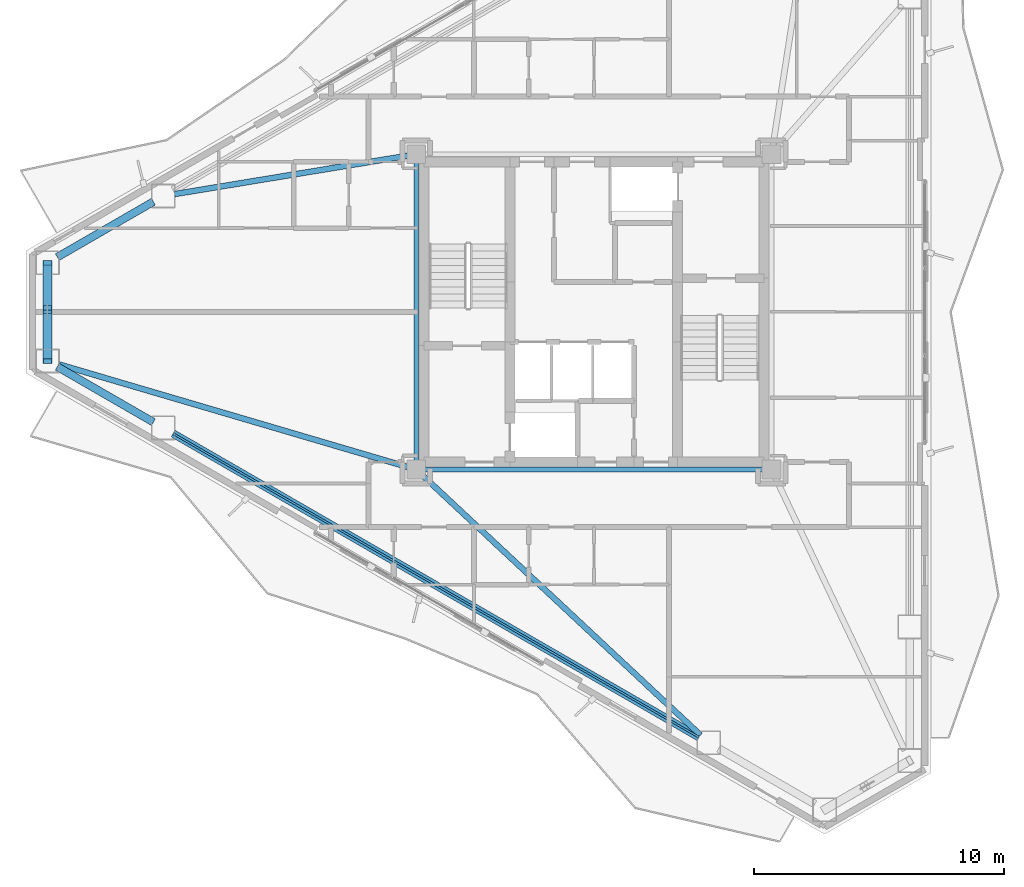
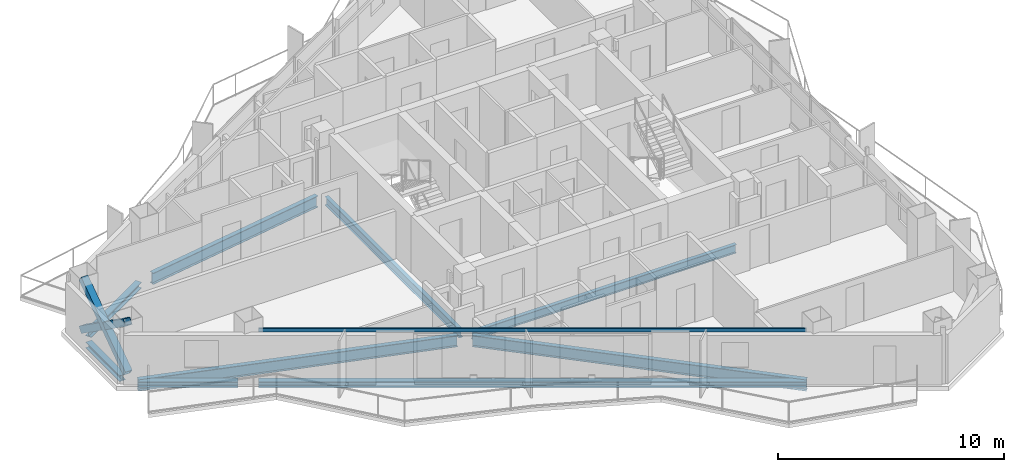
# One storey, part 4 of 18: 10 beams, 3 members.
"""IFC4 building model written with IfcOpenShell, lengths in metres."""

import ifcopenshell
import ifcopenshell.guid

model = None  # the IFC model being written
_history = None  # IfcOwnerHistory: only IFC2X3 demands one
_inside = {}  # id of a spatial element -> (the spatial element, [elements in it])
_under = {}  # id of a project, library or spatial element -> (it, [spatial elements below it])
_declared = {}  # id of a project -> (the project, [libraries it declares])
_typed = {}  # id of a type object -> (the type object, [elements of that type])
_made_of = {}  # id of a material, layer set ... -> (it, [elements and type objects made of it])


def new_model(schema):
    """Start an empty IFC model of exactly this schema.

    Asked for "IFC4X3", IfcOpenShell would pick the latest addendum, in which some entities
    have other attributes; the version numbers below select the first issue.
    IFC2X3 requires an IfcOwnerHistory on every rooted entity: one is made here for all.
    """
    global model, _history
    if schema == "IFC4X3":
        model = ifcopenshell.file(schema_version=(4, 3, 0, 0))
    else:
        model = ifcopenshell.file(schema=schema)
    _inside.clear()
    _under.clear()
    _declared.clear()
    _typed.clear()
    _made_of.clear()
    _history = None
    if model.schema == "IFC2X3":
        org = make("IfcOrganization", Name="unknown")
        user = make(
            "IfcPersonAndOrganization",
            ThePerson=make("IfcPerson", FamilyName="unknown"),
            TheOrganization=org,
        )
        app = make(
            "IfcApplication",
            ApplicationDeveloper=org,
            Version="unknown",
            ApplicationFullName="unknown",
            ApplicationIdentifier="unknown",
        )
        _history = make(
            "IfcOwnerHistory",
            OwningUser=user,
            OwningApplication=app,
            ChangeAction="ADDED",
            CreationDate=0,
        )
    return model


def make(cls, **values):
    """One entity of the class cls with the attributes given. An attribute that is None is left unset."""
    return model.create_entity(
        cls, **{name: value for name, value in values.items() if value is not None}
    )


def rooted(cls, **values):
    """An entity with a GlobalId (a new one), such as an element, a storey or a relation."""
    return make(cls, GlobalId=ifcopenshell.guid.new(), OwnerHistory=_history, **values)


def si_unit(unit_type, name, prefix=None):
    """IfcSIUnit, for example si_unit("LENGTHUNIT", "METRE", prefix="MILLI")."""
    return make("IfcSIUnit", UnitType=unit_type, Prefix=prefix, Name=name)


def assignment(units):
    """IfcUnitAssignment: the units of a project."""
    return None if units is None else make("IfcUnitAssignment", Units=units)


def point(xyz):
    """IfcCartesianPoint."""
    return None if xyz is None else make("IfcCartesianPoint", Coordinates=xyz)


def direction(xyz):
    """IfcDirection."""
    return None if xyz is None else make("IfcDirection", DirectionRatios=xyz)


def frame(location, z_axis=None, x_axis=None):
    """IfcAxis2Placement3D, a coordinate frame: its origin and axes. An axis left out is left unset."""
    return make(
        "IfcAxis2Placement3D",
        Location=point(location),
        Axis=direction(z_axis),
        RefDirection=direction(x_axis),
    )


def frame_2d(location, x_axis=None):
    """IfcAxis2Placement2D, a coordinate frame in the plane: its origin and x axis."""
    return make(
        "IfcAxis2Placement2D", Location=point(location), RefDirection=direction(x_axis)
    )


def origin():
    """The frame at (0, 0, 0) with its axes left unset."""
    return frame((0.0, 0.0, 0.0))


def origin_2d():
    """The frame at (0, 0) in the plane with its x axis left unset."""
    return frame_2d((0.0, 0.0))


def place(relative_to, where):
    """IfcLocalPlacement: puts the frame where relative to a parent placement (None: the world)."""
    return make(
        "IfcLocalPlacement", PlacementRelTo=relative_to, RelativePlacement=where
    )


def context(
    kind, dimensions, precision=None, world=None, true_north=None, identifier=None
):
    """IfcGeometricRepresentationContext, for example the 3D "Model" context."""
    return make(
        "IfcGeometricRepresentationContext",
        ContextIdentifier=identifier,
        ContextType=kind,
        CoordinateSpaceDimension=dimensions,
        Precision=precision,
        WorldCoordinateSystem=world,
        TrueNorth=true_north,
    )


def subcontext(parent, identifier, kind, view, scale=None):
    """IfcGeometricRepresentationSubContext, for example "Body" below "Model"."""
    return make(
        "IfcGeometricRepresentationSubContext",
        ContextIdentifier=identifier,
        ContextType=kind,
        ParentContext=parent,
        TargetScale=scale,
        TargetView=view,
    )


def project(units=None, contexts=None):
    """IfcProject with its units and contexts."""
    return rooted(
        "IfcProject",
        Name="project",
        RepresentationContexts=contexts,
        UnitsInContext=assignment(units),
    )


def spatial(cls, under=None, at=None, **own):
    """A site, building, storey or space (cls), placed at a placement, below another one or the project."""
    s = rooted(cls, ObjectPlacement=at, **own)
    if under is not None:
        _under.setdefault(under.id(), (under, []))[1].append(s)
    return s


def profile(cls, at=None, kind="AREA", **sizes):
    """A parametric profile (cls). Its sizes go by their IFC names, for example OverallWidth=200.0."""
    return make(cls, ProfileType=kind, Position=at, **sizes)


def hollow_rectangle(**sizes):
    """IfcRectangleHollowProfileDef."""
    return profile("IfcRectangleHollowProfileDef", **sizes)


def i_section(**sizes):
    """IfcIShapeProfileDef."""
    return profile("IfcIShapeProfileDef", **sizes)


def extrude(swept, where, along, depth):
    """IfcExtrudedAreaSolid: the profile swept, set in the frame where, extruded along a direction by depth."""
    return make(
        "IfcExtrudedAreaSolid",
        SweptArea=swept,
        Position=where,
        ExtrudedDirection=direction(along),
        Depth=depth,
    )


def shape(context_of_items, identifier, shape_type, items):
    """IfcShapeRepresentation: the items that make up one representation, for example the "Body"."""
    return make(
        "IfcShapeRepresentation",
        ContextOfItems=context_of_items,
        RepresentationIdentifier=identifier,
        RepresentationType=shape_type,
        Items=items,
    )


def material(Name=None, Category=None):
    """IfcMaterial."""
    return make("IfcMaterial", Name=Name, Category=Category)


def material_profile(
    of_material, cross_section, Name=None, Category=None, Priority=None
):
    """IfcMaterialProfile: a cross section and its material."""
    return make(
        "IfcMaterialProfile",
        Name=Name,
        Material=of_material,
        Profile=cross_section,
        Priority=Priority,
        Category=Category,
    )


def profile_set(profiles, Name=None, composite=None):
    """IfcMaterialProfileSet."""
    return make(
        "IfcMaterialProfileSet",
        Name=Name,
        MaterialProfiles=profiles,
        CompositeProfile=composite,
    )


def made_of(thing, what):
    """Note that an element or type object is made of a material, layer set ...; save() writes the relation."""
    if what is not None:
        _made_of.setdefault(what.id(), (what, []))[1].append(thing)
    return thing


def type_object(cls, material=None, **own):
    """A type object (cls), such as IfcWallType, which elements share."""
    return made_of(rooted(cls, **own), material)


def element(
    cls,
    number,
    at=None,
    inside=None,
    cuts=None,
    type_object=None,
    material=None,
    context=None,
    identifier="Body",
    shape_type=None,
    held_by="IfcProductDefinitionShape",
    body=None,
    shapes=None,
    **own,
):
    """One element of the class cls, such as IfcWall. Its Tag is "e" and its number.

    at: its placement. inside: the storey or other place that contains it. cuts: it is an
    opening in that element (IfcRelVoidsElement). A single representation is given by context,
    identifier, shape_type and body (its items); several are given by shapes. held_by: the class
    of the entity that holds the representations. save() writes the other relations.
    """
    e = rooted(cls, Tag="e%d" % number, ObjectPlacement=at, **own)
    if body is not None:
        shapes = [shape(context, identifier, shape_type, body)]
    if shapes is not None:
        e.Representation = make(held_by, Representations=shapes)
    if inside is not None:
        _inside.setdefault(inside.id(), (inside, []))[1].append(e)
    if cuts is not None:
        rooted(
            "IfcRelVoidsElement", RelatingBuildingElement=cuts, RelatedOpeningElement=e
        )
    if type_object is not None:
        _typed.setdefault(type_object.id(), (type_object, []))[1].append(e)
    return made_of(e, material)


def aggregate(whole, parts):
    """IfcRelAggregates: a whole, such as a stair, and the parts it consists of."""
    return rooted("IfcRelAggregates", RelatingObject=whole, RelatedObjects=parts)


def save(model, path):
    """Write the relations noted so far, then the file.

    IfcRelAggregates (storeys below a building ...), IfcRelContainedInSpatialStructure (elements
    in a storey), IfcRelDefinesByType, IfcRelAssociatesMaterial and IfcRelDeclares: one each for
    every whole, place, type object, material and project.
    """
    for whole, parts in _under.values():
        aggregate(whole, parts)
    for where, things in _inside.values():
        rooted(
            "IfcRelContainedInSpatialStructure",
            RelatedElements=things,
            RelatingStructure=where,
        )
    for kind, things in _typed.values():
        rooted("IfcRelDefinesByType", RelatedObjects=things, RelatingType=kind)
    for what, things in _made_of.values():
        rooted("IfcRelAssociatesMaterial", RelatedObjects=things, RelatingMaterial=what)
    for by, libraries in _declared.values():
        rooted("IfcRelDeclares", RelatingContext=by, RelatedDefinitions=libraries)
    model.write(path)


model = new_model("IFC4")

# Units and contexts
model_context = context("Model", 3, precision=1e-05, world=origin(), true_north=direction((0.0, 1.0)))
body_context = subcontext(model_context, "Body", "Model", "MODEL_VIEW")
ifc_project = project(units=[si_unit("LENGTHUNIT", "METRE"), si_unit("AREAUNIT", "SQUARE_METRE"), si_unit("VOLUMEUNIT", "CUBIC_METRE"), si_unit("PLANEANGLEUNIT", "RADIAN"), si_unit("MASSUNIT", "GRAM", prefix="KILO")], contexts=[model_context])

# Site, building, storey
site_placement = place(None, origin())
site = spatial("IfcSite", under=ifc_project, at=site_placement, CompositionType="ELEMENT")
building_placement = place(site_placement, origin())
building = spatial("IfcBuilding", under=site, at=building_placement, Name="Mersakhor Tower and Convention Hall", CompositionType="ELEMENT")
storey_placement = place(building_placement, frame((0.0, 0.0, 150.89990234375)))
storey = spatial("IfcBuildingStorey", under=building, at=storey_placement, Name="L42", CompositionType="ELEMENT", Elevation=150.89990234375)

# Beams
ifc_material_1 = material(Name="Steel S355", Category="steel")
ifc_material_profile_1 = material_profile(ifc_material_1, i_section(OverallWidth=0.19140625, OverallDepth=0.4599609375, WebThickness=0.010009765625, FlangeThickness=0.01611328125, at=origin_2d()), Name="UB 457x191x82")
ifc_profile_set_1 = profile_set([ifc_material_profile_1], Name="Steel S355")
beam_type_1 = type_object("IfcBeamType", Name="BM-FB-457", PredefinedType="BEAM", material=ifc_profile_set_1)
beam_1_placement = place(storey_placement, frame((21.89990234375, 20.804931640625, -0.469970703125), z_axis=(0.0, 1.0, 0.0), x_axis=(-1.0, 0.0, 0.0)))
element("IfcBeam", 1, at=beam_1_placement, inside=storey, type_object=beam_type_1, Name="L42 Core Ring Tie Beam CRB-1", PredefinedType="BEAM", context=body_context, shape_type="SweptSolid", body=[
    extrude(i_section(OverallWidth=0.19140625, OverallDepth=0.4599609375, WebThickness=0.010009765625, FlangeThickness=0.01611328125, at=origin_2d()), origin(), (0.0, 0.0, 1.0), 11.89013671875),
])
beam_2_placement = place(storey_placement, frame((35.7451171875, 20.449951171875, -0.469970703125), z_axis=(-1.0, 0.0, 0.0), x_axis=(0.0, -1.0, 0.0)))
element("IfcBeam", 2, at=beam_2_placement, inside=storey, type_object=beam_type_1, Name="L42 Core Ring Tie Beam CRB-4", PredefinedType="BEAM", context=body_context, shape_type="SweptSolid", body=[
    extrude(i_section(OverallWidth=0.19140625, OverallDepth=0.4599609375, WebThickness=0.010009765625, FlangeThickness=0.01611328125, at=origin_2d()), origin(), (0.0, 0.0, 1.0), 13.490234375),
])
ifc_material_2 = material(Name="Steel S355", Category="steel")
ifc_material_profile_2 = material_profile(ifc_material_2, hollow_rectangle(XDim=0.080078125, YDim=0.179931640625, WallThickness=0.008056640625, at=origin_2d()), Name="RHS 180x80x8")
ifc_profile_set_2 = profile_set([ifc_material_profile_2], Name="Steel S355")
beam_type_2 = type_object("IfcBeamType", Name="BM-GRT-RHS180", PredefinedType="USERDEFINED", material=ifc_profile_set_2)
beam_3_placement = place(storey_placement, frame((33.198486328125, 9.754638671875, 2.47998046875), z_axis=(-0.866027433267, 0.499996484816, 0.0), x_axis=(-0.499996484816, -0.866027433267, 0.0)))
element("IfcBeam", 3, at=beam_3_placement, inside=storey, type_object=beam_type_2, Name="L42 Facade Support Girt GRT-F3", ObjectType="GIRT", PredefinedType="USERDEFINED", context=body_context, shape_type="SweptSolid", body=[
    extrude(hollow_rectangle(XDim=0.080078125, YDim=0.179931640625, WallThickness=0.008056640625, at=origin_2d()), origin(), (0.0, 0.0, 1.0), 24.267333984375),
])
ifc_material_3 = material(Name="Steel S355", Category="steel")
ifc_material_profile_3 = material_profile(ifc_material_3, i_section(OverallWidth=0.22900390625, OverallDepth=0.6123046875, WebThickness=0.011962890625, FlangeThickness=0.01953125, at=origin_2d()), Name="UB 610x229x125")
ifc_profile_set_3 = profile_set([ifc_material_profile_3], Name="Steel S355")
beam_type_3 = type_object("IfcBeamType", Name="BM-PR-610", PredefinedType="BEAM", material=ifc_profile_set_3)
beam_4_placement = place(storey_placement, frame((21.5498046875, 32.9921875, -0.5458984375), z_axis=(-0.986703962282, -0.162527815515, 0.0), x_axis=(0.162527815515, -0.986703962282, 0.0)))
element("IfcBeam", 4, at=beam_4_placement, inside=storey, type_object=beam_type_3, Name="L42 Primary Floor Girder FG-1", PredefinedType="BEAM", context=body_context, shape_type="SweptSolid", body=[
    extrude(i_section(OverallWidth=0.22900390625, OverallDepth=0.6123046875, WebThickness=0.011962890625, FlangeThickness=0.01953125, at=origin_2d()), origin(), (0.0, 0.0, 1.0), 9.43798828125),
])
beam_5_placement = place(storey_placement, frame((22.159423828125, 20.207763671875, -0.5458984375), z_axis=(0.730740936679, -0.682654878736, 0.0), x_axis=(0.682654878736, 0.730740936679, 0.0)))
element("IfcBeam", 5, at=beam_5_placement, inside=storey, type_object=beam_type_3, Name="L42 Primary Floor Girder FG-5", PredefinedType="BEAM", context=body_context, shape_type="SweptSolid", body=[
    extrude(i_section(OverallWidth=0.22900390625, OverallDepth=0.6123046875, WebThickness=0.011962890625, FlangeThickness=0.01953125, at=origin_2d()), origin(), (0.0, 0.0, 1.0), 15.19091796875),
])
beam_6_placement = place(storey_placement, frame((21.559326171875, 20.55029296875, -0.5458984375), z_axis=(-0.959324090351, 0.282307083992, 0.0), x_axis=(-0.282307083992, -0.959324090351, 0.0)))
element("IfcBeam", 6, at=beam_6_placement, inside=storey, type_object=beam_type_3, Name="L42 Primary Floor Girder FG-6", PredefinedType="BEAM", context=body_context, shape_type="SweptSolid", body=[
    extrude(i_section(OverallWidth=0.22900390625, OverallDepth=0.6123046875, WebThickness=0.011962890625, FlangeThickness=0.01953125, at=origin_2d()), origin(), (0.0, 0.0, 1.0), 14.5546875),
])
ifc_material_4 = material(Name="Steel S355", Category="steel")
ifc_material_profile_4 = material_profile(ifc_material_4, i_section(OverallWidth=0.30908203125, OverallDepth=0.320556640625, WebThickness=0.013916015625, FlangeThickness=0.021728515625, at=origin_2d()), Name="UC 305x305x137")
ifc_profile_set_4 = profile_set([ifc_material_profile_4], Name="Steel S355")
beam_type_4 = type_object("IfcBeamType", Name="BM-SPD-UC305", PredefinedType="SPANDREL", material=ifc_profile_set_4)
beam_7_placement = place(storey_placement, frame((7.55419921875, 28.939697265625, -0.400146484375), z_axis=(0.866028798401, 0.499994120305, 0.0), x_axis=(-0.499994120305, 0.866028798401, 0.0)))
element("IfcBeam", 7, at=beam_7_placement, inside=storey, type_object=beam_type_4, Name="L42 Perimeter Spandrel Beam SPB-01", PredefinedType="SPANDREL", context=body_context, shape_type="SweptSolid", body=[
    extrude(i_section(OverallWidth=0.30908203125, OverallDepth=0.320556640625, WebThickness=0.013916015625, FlangeThickness=0.021728515625, at=origin_2d()), origin(), (0.0, 0.0, 1.0), 4.43408203125),
])
beam_8_placement = place(storey_placement, frame((33.198486328125, 9.754638671875, -0.400146484375), z_axis=(-0.866027433267, 0.499996484816, 0.0), x_axis=(-0.499996484816, -0.866027433267, 0.0)))
element("IfcBeam", 8, at=beam_8_placement, inside=storey, type_object=beam_type_4, Name="L42 Perimeter Spandrel Beam SPB-10", PredefinedType="SPANDREL", context=body_context, shape_type="SweptSolid", body=[
    extrude(i_section(OverallWidth=0.30908203125, OverallDepth=0.320556640625, WebThickness=0.013916015625, FlangeThickness=0.021728515625, at=origin_2d()), origin(), (0.0, 0.0, 1.0), 24.267333984375),
])
beam_9_placement = place(storey_placement, frame((11.394287109375, 22.34326171875, -0.400146484375), z_axis=(-0.866028798401, 0.499994120305, 0.0), x_axis=(-0.499994120305, -0.866028798401, 0.0)))
element("IfcBeam", 9, at=beam_9_placement, inside=storey, type_object=beam_type_4, Name="L42 Perimeter Spandrel Beam SPB-11", PredefinedType="SPANDREL", context=body_context, shape_type="SweptSolid", body=[
    extrude(i_section(OverallWidth=0.30908203125, OverallDepth=0.320556640625, WebThickness=0.013916015625, FlangeThickness=0.021728515625, at=origin_2d()), origin(), (0.0, 0.0, 1.0), 4.43408203125),
])
beam_10_placement = place(storey_placement, frame((7.160400390625, 25.24267578125, -0.400146484375), z_axis=(0.0, 1.0, 0.0), x_axis=(-1.0, 0.0, 0.0)))
element("IfcBeam", 10, at=beam_10_placement, inside=storey, type_object=beam_type_4, Name="L42 Perimeter Spandrel Beam SPB-12", PredefinedType="SPANDREL", context=body_context, shape_type="SweptSolid", body=[
    extrude(i_section(OverallWidth=0.30908203125, OverallDepth=0.320556640625, WebThickness=0.013916015625, FlangeThickness=0.021728515625, at=origin_2d()), origin(), (0.0, 0.0, 1.0), 3.0146484375),
])

# Members
ifc_material_5 = material(Name="Steel S460", Category="steel")
ifc_material_profile_5 = material_profile(ifc_material_5, hollow_rectangle(XDim=0.35009765625, YDim=0.35009765625, WallThickness=0.02001953125, at=origin_2d()), Name="SHS 350x350x20")
ifc_profile_set_5 = profile_set([ifc_material_profile_5], Name="Steel S460")
member_type = type_object("IfcMemberType", Name="MB-BRC-SHS350", PredefinedType="BRACE", material=ifc_profile_set_5)
member_placement = place(storey_placement, frame((7.160400390625, 24.78759765625, 0.150146484375), z_axis=(0.0, 0.817991748952, 0.575229952843), x_axis=(-1.0, 0.0, 0.0)))
element("IfcMember", 11, at=member_placement, inside=storey, type_object=member_type, Name="L42 Chamfer Braced Frame Diagonal CB-3A", PredefinedType="BRACE", context=body_context, shape_type="SweptSolid", body=[
    extrude(hollow_rectangle(XDim=0.35009765625, YDim=0.35009765625, WallThickness=0.02001953125, at=origin_2d()), origin(), (0.0, 0.0, 1.0), 4.798095703125),
])
for number, where, z_axis, x_axis, name in (
    (12, (7.160400390625, 28.71240234375, 0.150146484375), (0.0, -0.818012878097, 0.575199905483), (1.0, 0.0, 0.0), "L42 Chamfer Braced Frame Diagonal CB-3B Lower Half"),
    (13, (7.160400390625, 26.59130859375, 1.6416015625), (0.0, -0.817960781121, 0.575273987372), (1.0, 0.0, 0.0), "L42 Chamfer Braced Frame Diagonal CB-3B Upper Half"),
):
    element("IfcMember", number, at=place(storey_placement, frame(where, z_axis=z_axis, x_axis=x_axis)), inside=storey, type_object=member_type, Name=name, PredefinedType="BRACE", context=body_context, shape_type="SweptSolid", body=[
        extrude(hollow_rectangle(XDim=0.35009765625, YDim=0.35009765625, WallThickness=0.02001953125, at=origin_2d()), origin(), (0.0, 0.0, 1.0), 2.205078125),
    ])

save(model, "model.ifc")
